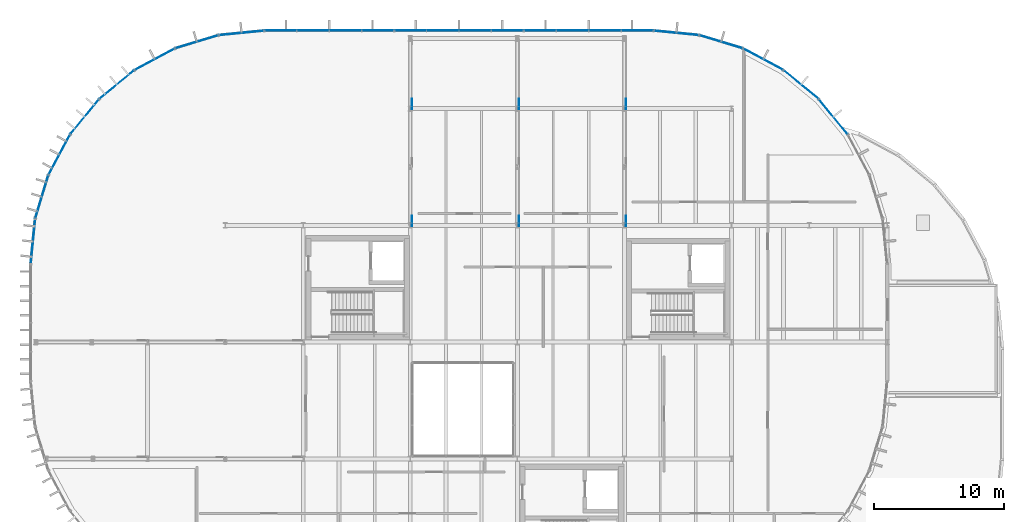
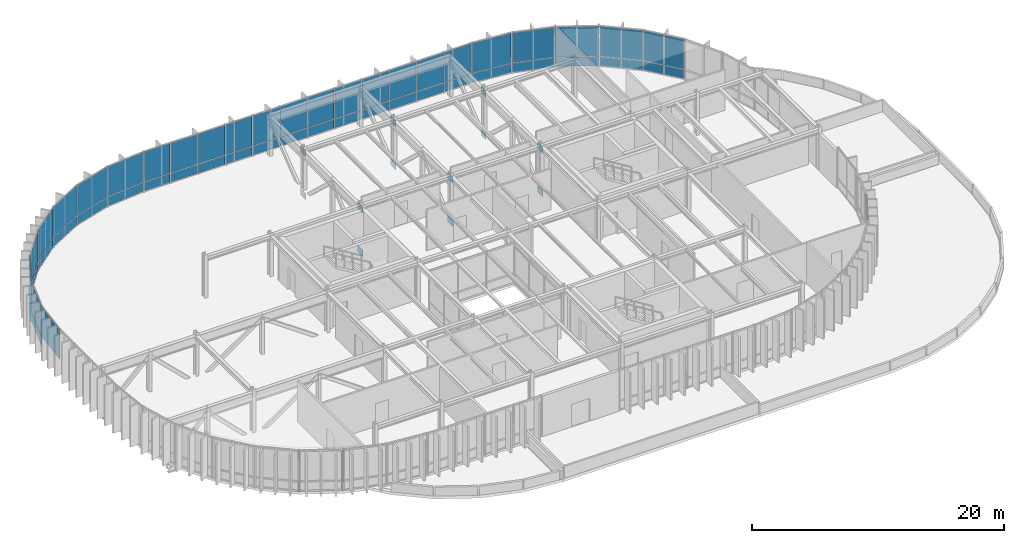
# One storey, part 18 of 29: 61 plates, 16 elements without a shape of their own.
"""IFC4 building model written with IfcOpenShell, lengths in metres."""

from ifc_helpers import new_model, si_unit, direction, frame, origin, origin_2d, place, context, subcontext, project, spatial, rectangle, extrude, material, layer, layer_set, type_object, element, aggregate, save


model = new_model("IFC4")

# Units and contexts
model_context = context("Model", 3, precision=1e-05, world=origin(), true_north=direction((0.0, 1.0)))
body_context = subcontext(model_context, "Body", "Model", "MODEL_VIEW")
ifc_project = project(units=[si_unit("LENGTHUNIT", "METRE"), si_unit("AREAUNIT", "SQUARE_METRE"), si_unit("VOLUMEUNIT", "CUBIC_METRE"), si_unit("PLANEANGLEUNIT", "RADIAN"), si_unit("MASSUNIT", "GRAM", prefix="KILO")], contexts=[model_context])

# Site, building, storey
site_placement = place(None, origin())
site = spatial("IfcSite", under=ifc_project, at=site_placement, CompositionType="ELEMENT")
building_placement = place(site_placement, origin())
building = spatial("IfcBuilding", under=site, at=building_placement, Name="Montealbar Specialist Clinic", CompositionType="ELEMENT")
storey_placement = place(building_placement, frame((0.0, 0.0, 22.199951171875)))
storey = spatial("IfcBuildingStorey", under=building, at=storey_placement, Name="L05", CompositionType="ELEMENT", Elevation=22.199951171875)

# Curtain wall, plate
ifc_material_1 = material(Name="Low-E double glazing", Category="glass")
ifc_layer_1 = layer(ifc_material_1, 0.199951171875, Name="Low-E double glazing", Category="glass")
ifc_layer_set_1 = layer_set([ifc_layer_1], Name="Low-E double glazing")
curtain_wall_type_1 = type_object("IfcCurtainWallType", Name="CW-TYPE-19", PredefinedType="NOTDEFINED", material=ifc_layer_set_1)
curtain_wall_1_placement = place(storey_placement, origin())
curtain_wall_1 = element("IfcCurtainWall", 1, at=curtain_wall_1_placement, inside=storey, type_object=curtain_wall_type_1, Name="Unitised Curtain Wall CW-L05-450-330-453-365-222", PredefinedType="NOTDEFINED")
ifc_layer_2 = layer(ifc_material_1, 0.0380859375, Name="Low-E double glazing", Category="glass")
ifc_layer_set_2 = layer_set([ifc_layer_2], Name="Low-E double glazing")
plate_type_1 = type_object("IfcPlateType", Name="CW-PNL-IGU38", PredefinedType="CURTAIN_PANEL", material=ifc_layer_set_2)
plate_1_placement = place(storey_placement, frame((45.173095703125, 34.756103515625, 0.97998046875), z_axis=(0.0, 0.0, 1.0), x_axis=(0.098044697094, 0.995182012183, 0.0)))
plate_1 = element("IfcPlate", 2, at=plate_1_placement, type_object=plate_type_1, Name="Glazed Curtain Panel CW-L05-450-330-453-365-222-1-2", PredefinedType="CURTAIN_PANEL", context=body_context, shape_type="SweptSolid", body=[
    extrude(rectangle(XDim=3.445068359375, YDim=0.0380859375, at=origin_2d()), origin(), (0.0, 0.0, 1.0), 2.889892578125),
])
aggregate(curtain_wall_1, [plate_1])

# Curtain wall, plates
curtain_wall_2_placement = place(storey_placement, origin())
curtain_wall_2 = element("IfcCurtainWall", 3, at=curtain_wall_2_placement, inside=storey, type_object=curtain_wall_type_1, Name="Unitised Curtain Wall CW-L05-453-365-464-399-222", PredefinedType="NOTDEFINED")
plate_2_placement = place(storey_placement, frame((45.85791015625, 38.199951171875, 0.070068359375), z_axis=(0.0, 0.0, 1.0), x_axis=(0.290259134399, 0.956948083701, 0.0)))
plate_2 = element("IfcPlate", 4, at=plate_2_placement, type_object=plate_type_1, Name="Glazed Curtain Panel CW-L05-453-365-464-399-222-1-1", PredefinedType="CURTAIN_PANEL", context=body_context, shape_type="SweptSolid", body=[
    extrude(rectangle(XDim=3.444091796875, YDim=0.0380859375, at=origin_2d()), origin(), (0.0, 0.0, 1.0), 0.85009765625),
])
plate_3_placement = place(storey_placement, frame((45.85791015625, 38.199951171875, 0.97998046875), z_axis=(0.0, 0.0, 1.0), x_axis=(0.290259134399, 0.956948083701, 0.0)))
plate_3 = element("IfcPlate", 5, at=plate_3_placement, type_object=plate_type_1, Name="Glazed Curtain Panel CW-L05-453-365-464-399-222-1-2", PredefinedType="CURTAIN_PANEL", context=body_context, shape_type="SweptSolid", body=[
    extrude(rectangle(XDim=3.444091796875, YDim=0.0380859375, at=origin_2d()), origin(), (0.0, 0.0, 1.0), 2.889892578125),
])
aggregate(curtain_wall_2, [plate_2, plate_3])

curtain_wall_3_placement = place(storey_placement, origin())
curtain_wall_3 = element("IfcCurtainWall", 6, at=curtain_wall_3_placement, inside=storey, type_object=curtain_wall_type_1, Name="Unitised Curtain Wall CW-L05-464-399-480-430-222", PredefinedType="NOTDEFINED")
plate_4_placement = place(storey_placement, frame((47.201904296875, 41.444091796875, 0.070068359375), z_axis=(0.0, 0.0, 1.0), x_axis=(0.471529268958, 0.881850411644, 0.0)))
plate_4 = element("IfcPlate", 7, at=plate_4_placement, type_object=plate_type_1, Name="Glazed Curtain Panel CW-L05-464-399-480-430-222-1-1", PredefinedType="CURTAIN_PANEL", context=body_context, shape_type="SweptSolid", body=[
    extrude(rectangle(XDim=3.445068359375, YDim=0.0380859375, at=origin_2d()), origin(), (0.0, 0.0, 1.0), 0.85009765625),
])
plate_5_placement = place(storey_placement, frame((47.201904296875, 41.444091796875, 0.97998046875), z_axis=(0.0, 0.0, 1.0), x_axis=(0.471529268958, 0.881850411644, 0.0)))
plate_5 = element("IfcPlate", 8, at=plate_5_placement, type_object=plate_type_1, Name="Glazed Curtain Panel CW-L05-464-399-480-430-222-1-2", PredefinedType="CURTAIN_PANEL", context=body_context, shape_type="SweptSolid", body=[
    extrude(rectangle(XDim=3.445068359375, YDim=0.0380859375, at=origin_2d()), origin(), (0.0, 0.0, 1.0), 2.889892578125),
])
aggregate(curtain_wall_3, [plate_4, plate_5])

curtain_wall_4_placement = place(storey_placement, origin())
curtain_wall_4 = element("IfcCurtainWall", 9, at=curtain_wall_4_placement, inside=storey, type_object=curtain_wall_type_1, Name="Unitised Curtain Wall CW-L05-480-430-503-457-222", PredefinedType="NOTDEFINED")
plate_6_placement = place(storey_placement, frame((49.153076171875, 44.364013671875, 0.070068359375), z_axis=(0.0, 0.0, 1.0), x_axis=(0.634255808922, 0.773123255923, 0.0)))
plate_6 = element("IfcPlate", 10, at=plate_6_placement, type_object=plate_type_1, Name="Glazed Curtain Panel CW-L05-480-430-503-457-222-1-1", PredefinedType="CURTAIN_PANEL", context=body_context, shape_type="SweptSolid", body=[
    extrude(rectangle(XDim=3.445068359375, YDim=0.0380859375, at=origin_2d()), origin(), (0.0, 0.0, 1.0), 0.85009765625),
])
plate_7_placement = place(storey_placement, frame((49.153076171875, 44.364013671875, 0.97998046875), z_axis=(0.0, 0.0, 1.0), x_axis=(0.634255808922, 0.773123255923, 0.0)))
plate_7 = element("IfcPlate", 11, at=plate_7_placement, type_object=plate_type_1, Name="Glazed Curtain Panel CW-L05-480-430-503-457-222-1-2", PredefinedType="CURTAIN_PANEL", context=body_context, shape_type="SweptSolid", body=[
    extrude(rectangle(XDim=3.445068359375, YDim=0.0380859375, at=origin_2d()), origin(), (0.0, 0.0, 1.0), 2.889892578125),
])
aggregate(curtain_wall_4, [plate_6, plate_7])

curtain_wall_5_placement = place(storey_placement, origin())
curtain_wall_5 = element("IfcCurtainWall", 12, at=curtain_wall_5_placement, inside=storey, type_object=curtain_wall_type_1, Name="Unitised Curtain Wall CW-L05-503-457-530-480-222", PredefinedType="NOTDEFINED")
plate_8_placement = place(storey_placement, frame((51.635986328125, 46.846923828125, 0.070068359375), z_axis=(0.0, 0.0, 1.0), x_axis=(0.773123255923, 0.634255808922, 0.0)))
plate_8 = element("IfcPlate", 13, at=plate_8_placement, type_object=plate_type_1, Name="Glazed Curtain Panel CW-L05-503-457-530-480-222-1-1", PredefinedType="CURTAIN_PANEL", context=body_context, shape_type="SweptSolid", body=[
    extrude(rectangle(XDim=3.445068359375, YDim=0.0380859375, at=origin_2d()), origin(), (0.0, 0.0, 1.0), 0.85009765625),
])
plate_9_placement = place(storey_placement, frame((51.635986328125, 46.846923828125, 0.97998046875), z_axis=(0.0, 0.0, 1.0), x_axis=(0.773123255923, 0.634255808922, 0.0)))
plate_9 = element("IfcPlate", 14, at=plate_9_placement, type_object=plate_type_1, Name="Glazed Curtain Panel CW-L05-503-457-530-480-222-1-2", PredefinedType="CURTAIN_PANEL", context=body_context, shape_type="SweptSolid", body=[
    extrude(rectangle(XDim=3.445068359375, YDim=0.0380859375, at=origin_2d()), origin(), (0.0, 0.0, 1.0), 2.889892578125),
])
aggregate(curtain_wall_5, [plate_8, plate_9])

curtain_wall_6_placement = place(storey_placement, origin())
curtain_wall_6 = element("IfcCurtainWall", 15, at=curtain_wall_6_placement, inside=storey, type_object=curtain_wall_type_1, Name="Unitised Curtain Wall CW-L05-530-480-561-496-222", PredefinedType="NOTDEFINED")
plate_10_placement = place(storey_placement, frame((54.555908203125, 48.798095703125, 0.070068359375), z_axis=(0.0, 0.0, 1.0), x_axis=(0.881850411644, 0.471529268958, 0.0)))
plate_10 = element("IfcPlate", 16, at=plate_10_placement, type_object=plate_type_1, Name="Glazed Curtain Panel CW-L05-530-480-561-496-222-1-1", PredefinedType="CURTAIN_PANEL", context=body_context, shape_type="SweptSolid", body=[
    extrude(rectangle(XDim=3.445068359375, YDim=0.0380859375, at=origin_2d()), origin(), (0.0, 0.0, 1.0), 0.85009765625),
])
plate_11_placement = place(storey_placement, frame((54.555908203125, 48.798095703125, 0.97998046875), z_axis=(0.0, 0.0, 1.0), x_axis=(0.881850411644, 0.471529268958, 0.0)))
plate_11 = element("IfcPlate", 17, at=plate_11_placement, type_object=plate_type_1, Name="Glazed Curtain Panel CW-L05-530-480-561-496-222-1-2", PredefinedType="CURTAIN_PANEL", context=body_context, shape_type="SweptSolid", body=[
    extrude(rectangle(XDim=3.445068359375, YDim=0.0380859375, at=origin_2d()), origin(), (0.0, 0.0, 1.0), 2.889892578125),
])
aggregate(curtain_wall_6, [plate_10, plate_11])

curtain_wall_7_placement = place(storey_placement, origin())
curtain_wall_7 = element("IfcCurtainWall", 18, at=curtain_wall_7_placement, inside=storey, type_object=curtain_wall_type_1, Name="Unitised Curtain Wall CW-L05-561-496-595-507-222", PredefinedType="NOTDEFINED")
plate_12_placement = place(storey_placement, frame((57.800048828125, 50.14208984375, 0.070068359375), z_axis=(0.0, 0.0, 1.0), x_axis=(0.956948083701, 0.290259134399, 0.0)))
plate_12 = element("IfcPlate", 19, at=plate_12_placement, type_object=plate_type_1, Name="Glazed Curtain Panel CW-L05-561-496-595-507-222-1-1", PredefinedType="CURTAIN_PANEL", context=body_context, shape_type="SweptSolid", body=[
    extrude(rectangle(XDim=3.444091796875, YDim=0.0380859375, at=origin_2d()), origin(), (0.0, 0.0, 1.0), 0.85009765625),
])
plate_13_placement = place(storey_placement, frame((57.800048828125, 50.14208984375, 0.97998046875), z_axis=(0.0, 0.0, 1.0), x_axis=(0.956948083701, 0.290259134399, 0.0)))
plate_13 = element("IfcPlate", 20, at=plate_13_placement, type_object=plate_type_1, Name="Glazed Curtain Panel CW-L05-561-496-595-507-222-1-2", PredefinedType="CURTAIN_PANEL", context=body_context, shape_type="SweptSolid", body=[
    extrude(rectangle(XDim=3.444091796875, YDim=0.0380859375, at=origin_2d()), origin(), (0.0, 0.0, 1.0), 2.889892578125),
])
aggregate(curtain_wall_7, [plate_12, plate_13])

curtain_wall_8_placement = place(storey_placement, origin())
curtain_wall_8 = element("IfcCurtainWall", 21, at=curtain_wall_8_placement, inside=storey, type_object=curtain_wall_type_1, Name="Unitised Curtain Wall CW-L05-595-507-630-510-222", PredefinedType="NOTDEFINED")
plate_14_placement = place(storey_placement, frame((61.243896484375, 50.826904296875, 0.070068359375), z_axis=(0.0, 0.0, 1.0), x_axis=(0.995182012183, 0.098044697094, 0.0)))
plate_14 = element("IfcPlate", 22, at=plate_14_placement, type_object=plate_type_1, Name="Glazed Curtain Panel CW-L05-595-507-630-510-222-1-1", PredefinedType="CURTAIN_PANEL", context=body_context, shape_type="SweptSolid", body=[
    extrude(rectangle(XDim=3.445068359375, YDim=0.0380859375, at=origin_2d()), origin(), (0.0, 0.0, 1.0), 0.85009765625),
])
plate_15_placement = place(storey_placement, frame((61.243896484375, 50.826904296875, 0.97998046875), z_axis=(0.0, 0.0, 1.0), x_axis=(0.995182012183, 0.098044697094, 0.0)))
plate_15 = element("IfcPlate", 23, at=plate_15_placement, type_object=plate_type_1, Name="Glazed Curtain Panel CW-L05-595-507-630-510-222-1-2", PredefinedType="CURTAIN_PANEL", context=body_context, shape_type="SweptSolid", body=[
    extrude(rectangle(XDim=3.445068359375, YDim=0.0380859375, at=origin_2d()), origin(), (0.0, 0.0, 1.0), 2.889892578125),
])
aggregate(curtain_wall_8, [plate_14, plate_15])

ifc_layer_3 = layer(ifc_material_1, 0.199951171875, Name="Low-E double glazing", Category="glass")
ifc_layer_set_3 = layer_set([ifc_layer_3], Name="Low-E double glazing")
curtain_wall_type_2 = type_object("IfcCurtainWallType", Name="CW-TYPE-38", PredefinedType="NOTDEFINED", material=ifc_layer_set_3)
curtain_wall_9_placement = place(storey_placement, origin())
curtain_wall_9 = element("IfcCurtainWall", 24, at=curtain_wall_9_placement, inside=storey, type_object=curtain_wall_type_2, Name="Unitised Curtain Wall CW-L05-630-510-730-510-222", PredefinedType="NOTDEFINED")
plate_16_placement = place(storey_placement, frame((64.25, 51.0, 0.070068359375), z_axis=(0.0, 0.0, 1.0), x_axis=(1.0, 0.0, 0.0)))
plate_16 = element("IfcPlate", 25, at=plate_16_placement, type_object=plate_type_1, Name="Glazed Curtain Panel CW-L05-630-510-730-510-222-1-1", PredefinedType="CURTAIN_PANEL", context=body_context, shape_type="SweptSolid", body=[
    extrude(rectangle(XDim=2.416015625, YDim=0.0380859375, at=origin_2d()), origin(), (0.0, 0.0, 1.0), 0.85009765625),
])
plate_17_placement = place(storey_placement, frame((64.25, 51.0, 0.97998046875), z_axis=(0.0, 0.0, 1.0), x_axis=(1.0, 0.0, 0.0)))
plate_17 = element("IfcPlate", 26, at=plate_17_placement, type_object=plate_type_1, Name="Glazed Curtain Panel CW-L05-630-510-730-510-222-1-2", PredefinedType="CURTAIN_PANEL", context=body_context, shape_type="SweptSolid", body=[
    extrude(rectangle(XDim=2.416015625, YDim=0.0380859375, at=origin_2d()), origin(), (0.0, 0.0, 1.0), 2.889892578125),
])
plate_18_placement = place(storey_placement, frame((66.75, 51.0, 0.070068359375), z_axis=(0.0, 0.0, 1.0), x_axis=(1.0, 0.0, 0.0)))
plate_18 = element("IfcPlate", 27, at=plate_18_placement, type_object=plate_type_1, Name="Glazed Curtain Panel CW-L05-630-510-730-510-222-2-1", PredefinedType="CURTAIN_PANEL", context=body_context, shape_type="SweptSolid", body=[
    extrude(rectangle(XDim=2.416015625, YDim=0.0380859375, at=origin_2d()), origin(), (0.0, 0.0, 1.0), 0.85009765625),
])
plate_19_placement = place(storey_placement, frame((66.75, 51.0, 0.97998046875), z_axis=(0.0, 0.0, 1.0), x_axis=(1.0, 0.0, 0.0)))
plate_19 = element("IfcPlate", 28, at=plate_19_placement, type_object=plate_type_1, Name="Glazed Curtain Panel CW-L05-630-510-730-510-222-2-2", PredefinedType="CURTAIN_PANEL", context=body_context, shape_type="SweptSolid", body=[
    extrude(rectangle(XDim=2.416015625, YDim=0.0380859375, at=origin_2d()), origin(), (0.0, 0.0, 1.0), 2.889892578125),
])
plate_20_placement = place(storey_placement, frame((69.25, 51.0, 0.070068359375), z_axis=(0.0, 0.0, 1.0), x_axis=(1.0, 0.0, 0.0)))
plate_20 = element("IfcPlate", 29, at=plate_20_placement, type_object=plate_type_1, Name="Glazed Curtain Panel CW-L05-630-510-730-510-222-3-1", PredefinedType="CURTAIN_PANEL", context=body_context, shape_type="SweptSolid", body=[
    extrude(rectangle(XDim=2.416015625, YDim=0.0380859375, at=origin_2d()), origin(), (0.0, 0.0, 1.0), 0.85009765625),
])
plate_21_placement = place(storey_placement, frame((69.25, 51.0, 0.97998046875), z_axis=(0.0, 0.0, 1.0), x_axis=(1.0, 0.0, 0.0)))
plate_21 = element("IfcPlate", 30, at=plate_21_placement, type_object=plate_type_1, Name="Glazed Curtain Panel CW-L05-630-510-730-510-222-3-2", PredefinedType="CURTAIN_PANEL", context=body_context, shape_type="SweptSolid", body=[
    extrude(rectangle(XDim=2.416015625, YDim=0.0380859375, at=origin_2d()), origin(), (0.0, 0.0, 1.0), 2.889892578125),
])
plate_22_placement = place(storey_placement, frame((71.75, 51.0, 0.070068359375), z_axis=(0.0, 0.0, 1.0), x_axis=(1.0, 0.0, 0.0)))
plate_22 = element("IfcPlate", 31, at=plate_22_placement, type_object=plate_type_1, Name="Glazed Curtain Panel CW-L05-630-510-730-510-222-4-1", PredefinedType="CURTAIN_PANEL", context=body_context, shape_type="SweptSolid", body=[
    extrude(rectangle(XDim=2.416015625, YDim=0.0380859375, at=origin_2d()), origin(), (0.0, 0.0, 1.0), 0.85009765625),
])
plate_23_placement = place(storey_placement, frame((71.75, 51.0, 0.97998046875), z_axis=(0.0, 0.0, 1.0), x_axis=(1.0, 0.0, 0.0)))
plate_23 = element("IfcPlate", 32, at=plate_23_placement, type_object=plate_type_1, Name="Glazed Curtain Panel CW-L05-630-510-730-510-222-4-2", PredefinedType="CURTAIN_PANEL", context=body_context, shape_type="SweptSolid", body=[
    extrude(rectangle(XDim=2.416015625, YDim=0.0380859375, at=origin_2d()), origin(), (0.0, 0.0, 1.0), 2.889892578125),
])
aggregate(curtain_wall_9, [plate_16, plate_17, plate_18, plate_19, plate_20, plate_21, plate_22, plate_23])

curtain_wall_10_placement = place(storey_placement, origin())
curtain_wall_10 = element("IfcCurtainWall", 33, at=curtain_wall_10_placement, inside=storey, type_object=curtain_wall_type_2, Name="Unitised Curtain Wall CW-L05-730-510-830-510-222", PredefinedType="NOTDEFINED")
plate_24_placement = place(storey_placement, frame((74.25, 51.0, 0.070068359375), z_axis=(0.0, 0.0, 1.0), x_axis=(1.0, 0.0, 0.0)))
plate_24 = element("IfcPlate", 34, at=plate_24_placement, type_object=plate_type_1, Name="Glazed Curtain Panel CW-L05-730-510-830-510-222-1-1", PredefinedType="CURTAIN_PANEL", context=body_context, shape_type="SweptSolid", body=[
    extrude(rectangle(XDim=2.416015625, YDim=0.0380859375, at=origin_2d()), origin(), (0.0, 0.0, 1.0), 0.85009765625),
])
plate_25_placement = place(storey_placement, frame((74.25, 51.0, 0.97998046875), z_axis=(0.0, 0.0, 1.0), x_axis=(1.0, 0.0, 0.0)))
plate_25 = element("IfcPlate", 35, at=plate_25_placement, type_object=plate_type_1, Name="Glazed Curtain Panel CW-L05-730-510-830-510-222-1-2", PredefinedType="CURTAIN_PANEL", context=body_context, shape_type="SweptSolid", body=[
    extrude(rectangle(XDim=2.416015625, YDim=0.0380859375, at=origin_2d()), origin(), (0.0, 0.0, 1.0), 2.889892578125),
])
plate_26_placement = place(storey_placement, frame((76.75, 51.0, 0.070068359375), z_axis=(0.0, 0.0, 1.0), x_axis=(1.0, 0.0, 0.0)))
plate_26 = element("IfcPlate", 36, at=plate_26_placement, type_object=plate_type_1, Name="Glazed Curtain Panel CW-L05-730-510-830-510-222-2-1", PredefinedType="CURTAIN_PANEL", context=body_context, shape_type="SweptSolid", body=[
    extrude(rectangle(XDim=2.416015625, YDim=0.0380859375, at=origin_2d()), origin(), (0.0, 0.0, 1.0), 0.85009765625),
])
plate_27_placement = place(storey_placement, frame((76.75, 51.0, 0.97998046875), z_axis=(0.0, 0.0, 1.0), x_axis=(1.0, 0.0, 0.0)))
plate_27 = element("IfcPlate", 37, at=plate_27_placement, type_object=plate_type_1, Name="Glazed Curtain Panel CW-L05-730-510-830-510-222-2-2", PredefinedType="CURTAIN_PANEL", context=body_context, shape_type="SweptSolid", body=[
    extrude(rectangle(XDim=2.416015625, YDim=0.0380859375, at=origin_2d()), origin(), (0.0, 0.0, 1.0), 2.889892578125),
])
plate_28_placement = place(storey_placement, frame((79.25, 51.0, 0.070068359375), z_axis=(0.0, 0.0, 1.0), x_axis=(1.0, 0.0, 0.0)))
plate_28 = element("IfcPlate", 38, at=plate_28_placement, type_object=plate_type_1, Name="Glazed Curtain Panel CW-L05-730-510-830-510-222-3-1", PredefinedType="CURTAIN_PANEL", context=body_context, shape_type="SweptSolid", body=[
    extrude(rectangle(XDim=2.416015625, YDim=0.0380859375, at=origin_2d()), origin(), (0.0, 0.0, 1.0), 0.85009765625),
])
plate_29_placement = place(storey_placement, frame((79.25, 51.0, 0.97998046875), z_axis=(0.0, 0.0, 1.0), x_axis=(1.0, 0.0, 0.0)))
plate_29 = element("IfcPlate", 39, at=plate_29_placement, type_object=plate_type_1, Name="Glazed Curtain Panel CW-L05-730-510-830-510-222-3-2", PredefinedType="CURTAIN_PANEL", context=body_context, shape_type="SweptSolid", body=[
    extrude(rectangle(XDim=2.416015625, YDim=0.0380859375, at=origin_2d()), origin(), (0.0, 0.0, 1.0), 2.889892578125),
])
plate_30_placement = place(storey_placement, frame((81.75, 51.0, 0.070068359375), z_axis=(0.0, 0.0, 1.0), x_axis=(1.0, 0.0, 0.0)))
plate_30 = element("IfcPlate", 40, at=plate_30_placement, type_object=plate_type_1, Name="Glazed Curtain Panel CW-L05-730-510-830-510-222-4-1", PredefinedType="CURTAIN_PANEL", context=body_context, shape_type="SweptSolid", body=[
    extrude(rectangle(XDim=2.416015625, YDim=0.0380859375, at=origin_2d()), origin(), (0.0, 0.0, 1.0), 0.85009765625),
])
plate_31_placement = place(storey_placement, frame((81.75, 51.0, 0.97998046875), z_axis=(0.0, 0.0, 1.0), x_axis=(1.0, 0.0, 0.0)))
plate_31 = element("IfcPlate", 41, at=plate_31_placement, type_object=plate_type_1, Name="Glazed Curtain Panel CW-L05-730-510-830-510-222-4-2", PredefinedType="CURTAIN_PANEL", context=body_context, shape_type="SweptSolid", body=[
    extrude(rectangle(XDim=2.416015625, YDim=0.0380859375, at=origin_2d()), origin(), (0.0, 0.0, 1.0), 2.889892578125),
])
aggregate(curtain_wall_10, [plate_24, plate_25, plate_26, plate_27, plate_28, plate_29, plate_30, plate_31])

curtain_wall_11_placement = place(storey_placement, origin())
curtain_wall_11 = element("IfcCurtainWall", 42, at=curtain_wall_11_placement, inside=storey, type_object=curtain_wall_type_2, Name="Unitised Curtain Wall CW-L05-830-510-930-510-222", PredefinedType="NOTDEFINED")
plate_32_placement = place(storey_placement, frame((84.25, 51.0, 0.070068359375), z_axis=(0.0, 0.0, 1.0), x_axis=(1.0, 0.0, 0.0)))
plate_32 = element("IfcPlate", 43, at=plate_32_placement, type_object=plate_type_1, Name="Glazed Curtain Panel CW-L05-830-510-930-510-222-1-1", PredefinedType="CURTAIN_PANEL", context=body_context, shape_type="SweptSolid", body=[
    extrude(rectangle(XDim=2.416015625, YDim=0.0380859375, at=origin_2d()), origin(), (0.0, 0.0, 1.0), 0.85009765625),
])
plate_33_placement = place(storey_placement, frame((84.25, 51.0, 0.97998046875), z_axis=(0.0, 0.0, 1.0), x_axis=(1.0, 0.0, 0.0)))
plate_33 = element("IfcPlate", 44, at=plate_33_placement, type_object=plate_type_1, Name="Glazed Curtain Panel CW-L05-830-510-930-510-222-1-2", PredefinedType="CURTAIN_PANEL", context=body_context, shape_type="SweptSolid", body=[
    extrude(rectangle(XDim=2.416015625, YDim=0.0380859375, at=origin_2d()), origin(), (0.0, 0.0, 1.0), 2.889892578125),
])
plate_34_placement = place(storey_placement, frame((86.75, 51.0, 0.070068359375), z_axis=(0.0, 0.0, 1.0), x_axis=(1.0, 0.0, 0.0)))
plate_34 = element("IfcPlate", 45, at=plate_34_placement, type_object=plate_type_1, Name="Glazed Curtain Panel CW-L05-830-510-930-510-222-2-1", PredefinedType="CURTAIN_PANEL", context=body_context, shape_type="SweptSolid", body=[
    extrude(rectangle(XDim=2.416015625, YDim=0.0380859375, at=origin_2d()), origin(), (0.0, 0.0, 1.0), 0.85009765625),
])
plate_35_placement = place(storey_placement, frame((86.75, 51.0, 0.97998046875), z_axis=(0.0, 0.0, 1.0), x_axis=(1.0, 0.0, 0.0)))
plate_35 = element("IfcPlate", 46, at=plate_35_placement, type_object=plate_type_1, Name="Glazed Curtain Panel CW-L05-830-510-930-510-222-2-2", PredefinedType="CURTAIN_PANEL", context=body_context, shape_type="SweptSolid", body=[
    extrude(rectangle(XDim=2.416015625, YDim=0.0380859375, at=origin_2d()), origin(), (0.0, 0.0, 1.0), 2.889892578125),
])
plate_36_placement = place(storey_placement, frame((89.25, 51.0, 0.070068359375), z_axis=(0.0, 0.0, 1.0), x_axis=(1.0, 0.0, 0.0)))
plate_36 = element("IfcPlate", 47, at=plate_36_placement, type_object=plate_type_1, Name="Glazed Curtain Panel CW-L05-830-510-930-510-222-3-1", PredefinedType="CURTAIN_PANEL", context=body_context, shape_type="SweptSolid", body=[
    extrude(rectangle(XDim=2.416015625, YDim=0.0380859375, at=origin_2d()), origin(), (0.0, 0.0, 1.0), 0.85009765625),
])
plate_37_placement = place(storey_placement, frame((89.25, 51.0, 0.97998046875), z_axis=(0.0, 0.0, 1.0), x_axis=(1.0, 0.0, 0.0)))
plate_37 = element("IfcPlate", 48, at=plate_37_placement, type_object=plate_type_1, Name="Glazed Curtain Panel CW-L05-830-510-930-510-222-3-2", PredefinedType="CURTAIN_PANEL", context=body_context, shape_type="SweptSolid", body=[
    extrude(rectangle(XDim=2.416015625, YDim=0.0380859375, at=origin_2d()), origin(), (0.0, 0.0, 1.0), 2.889892578125),
])
plate_38_placement = place(storey_placement, frame((91.75, 51.0, 0.070068359375), z_axis=(0.0, 0.0, 1.0), x_axis=(1.0, 0.0, 0.0)))
plate_38 = element("IfcPlate", 49, at=plate_38_placement, type_object=plate_type_1, Name="Glazed Curtain Panel CW-L05-830-510-930-510-222-4-1", PredefinedType="CURTAIN_PANEL", context=body_context, shape_type="SweptSolid", body=[
    extrude(rectangle(XDim=2.416015625, YDim=0.0380859375, at=origin_2d()), origin(), (0.0, 0.0, 1.0), 0.85009765625),
])
plate_39_placement = place(storey_placement, frame((91.75, 51.0, 0.97998046875), z_axis=(0.0, 0.0, 1.0), x_axis=(1.0, 0.0, 0.0)))
plate_39 = element("IfcPlate", 50, at=plate_39_placement, type_object=plate_type_1, Name="Glazed Curtain Panel CW-L05-830-510-930-510-222-4-2", PredefinedType="CURTAIN_PANEL", context=body_context, shape_type="SweptSolid", body=[
    extrude(rectangle(XDim=2.416015625, YDim=0.0380859375, at=origin_2d()), origin(), (0.0, 0.0, 1.0), 2.889892578125),
])
aggregate(curtain_wall_11, [plate_32, plate_33, plate_34, plate_35, plate_36, plate_37, plate_38, plate_39])

curtain_wall_12_placement = place(storey_placement, origin())
curtain_wall_12 = element("IfcCurtainWall", 51, at=curtain_wall_12_placement, inside=storey, type_object=curtain_wall_type_1, Name="Unitised Curtain Wall CW-L05-930-510-965-507-222", PredefinedType="NOTDEFINED")
plate_40_placement = place(storey_placement, frame((94.756103515625, 50.826904296875, 0.070068359375), z_axis=(0.0, 0.0, 1.0), x_axis=(0.995182012183, -0.098044697094, 0.0)))
plate_40 = element("IfcPlate", 52, at=plate_40_placement, type_object=plate_type_1, Name="Glazed Curtain Panel CW-L05-930-510-965-507-222-1-1", PredefinedType="CURTAIN_PANEL", context=body_context, shape_type="SweptSolid", body=[
    extrude(rectangle(XDim=3.445068359375, YDim=0.0380859375, at=origin_2d()), origin(), (0.0, 0.0, 1.0), 0.85009765625),
])
plate_41_placement = place(storey_placement, frame((94.756103515625, 50.826904296875, 0.97998046875), z_axis=(0.0, 0.0, 1.0), x_axis=(0.995182012183, -0.098044697094, 0.0)))
plate_41 = element("IfcPlate", 53, at=plate_41_placement, type_object=plate_type_1, Name="Glazed Curtain Panel CW-L05-930-510-965-507-222-1-2", PredefinedType="CURTAIN_PANEL", context=body_context, shape_type="SweptSolid", body=[
    extrude(rectangle(XDim=3.445068359375, YDim=0.0380859375, at=origin_2d()), origin(), (0.0, 0.0, 1.0), 2.889892578125),
])
aggregate(curtain_wall_12, [plate_40, plate_41])

curtain_wall_13_placement = place(storey_placement, origin())
curtain_wall_13 = element("IfcCurtainWall", 54, at=curtain_wall_13_placement, inside=storey, type_object=curtain_wall_type_1, Name="Unitised Curtain Wall CW-L05-965-507-999-496-222", PredefinedType="NOTDEFINED")
plate_42_placement = place(storey_placement, frame((98.199951171875, 50.14208984375, 0.070068359375), z_axis=(0.0, 0.0, 1.0), x_axis=(0.956948083701, -0.290259134399, 0.0)))
plate_42 = element("IfcPlate", 55, at=plate_42_placement, type_object=plate_type_1, Name="Glazed Curtain Panel CW-L05-965-507-999-496-222-1-1", PredefinedType="CURTAIN_PANEL", context=body_context, shape_type="SweptSolid", body=[
    extrude(rectangle(XDim=3.444091796875, YDim=0.0380859375, at=origin_2d()), origin(), (0.0, 0.0, 1.0), 0.85009765625),
])
plate_43_placement = place(storey_placement, frame((98.199951171875, 50.14208984375, 0.97998046875), z_axis=(0.0, 0.0, 1.0), x_axis=(0.956948083701, -0.290259134399, 0.0)))
plate_43 = element("IfcPlate", 56, at=plate_43_placement, type_object=plate_type_1, Name="Glazed Curtain Panel CW-L05-965-507-999-496-222-1-2", PredefinedType="CURTAIN_PANEL", context=body_context, shape_type="SweptSolid", body=[
    extrude(rectangle(XDim=3.444091796875, YDim=0.0380859375, at=origin_2d()), origin(), (0.0, 0.0, 1.0), 2.889892578125),
])
aggregate(curtain_wall_13, [plate_42, plate_43])

curtain_wall_14_placement = place(storey_placement, origin())
curtain_wall_14 = element("IfcCurtainWall", 57, at=curtain_wall_14_placement, inside=storey, type_object=curtain_wall_type_1, Name="Unitised Curtain Wall CW-L05-999-496-1030-480-222", PredefinedType="NOTDEFINED")
plate_44_placement = place(storey_placement, frame((101.444091796875, 48.798095703125, 0.070068359375), z_axis=(0.0, 0.0, 1.0), x_axis=(0.881850411644, -0.471529268958, 0.0)))
plate_44 = element("IfcPlate", 58, at=plate_44_placement, type_object=plate_type_1, Name="Glazed Curtain Panel CW-L05-999-496-1030-480-222-1-1", PredefinedType="CURTAIN_PANEL", context=body_context, shape_type="SweptSolid", body=[
    extrude(rectangle(XDim=3.445068359375, YDim=0.0380859375, at=origin_2d()), origin(), (0.0, 0.0, 1.0), 0.85009765625),
])
plate_45_placement = place(storey_placement, frame((101.444091796875, 48.798095703125, 0.97998046875), z_axis=(0.0, 0.0, 1.0), x_axis=(0.881850411644, -0.471529268958, 0.0)))
plate_45 = element("IfcPlate", 59, at=plate_45_placement, type_object=plate_type_1, Name="Glazed Curtain Panel CW-L05-999-496-1030-480-222-1-2", PredefinedType="CURTAIN_PANEL", context=body_context, shape_type="SweptSolid", body=[
    extrude(rectangle(XDim=3.445068359375, YDim=0.0380859375, at=origin_2d()), origin(), (0.0, 0.0, 1.0), 2.889892578125),
])
aggregate(curtain_wall_14, [plate_44, plate_45])

curtain_wall_15_placement = place(storey_placement, origin())
curtain_wall_15 = element("IfcCurtainWall", 60, at=curtain_wall_15_placement, inside=storey, type_object=curtain_wall_type_1, Name="Unitised Curtain Wall CW-L05-1030-480-1057-457-222", PredefinedType="NOTDEFINED")
plate_46_placement = place(storey_placement, frame((104.364013671875, 46.846923828125, 0.070068359375), z_axis=(0.0, 0.0, 1.0), x_axis=(0.773123255923, -0.634255808922, 0.0)))
plate_46 = element("IfcPlate", 61, at=plate_46_placement, type_object=plate_type_1, Name="Glazed Curtain Panel CW-L05-1030-480-1057-457-222-1-1", PredefinedType="CURTAIN_PANEL", context=body_context, shape_type="SweptSolid", body=[
    extrude(rectangle(XDim=3.445068359375, YDim=0.0380859375, at=origin_2d()), origin(), (0.0, 0.0, 1.0), 0.85009765625),
])
plate_47_placement = place(storey_placement, frame((104.364013671875, 46.846923828125, 0.97998046875), z_axis=(0.0, 0.0, 1.0), x_axis=(0.773123255923, -0.634255808922, 0.0)))
plate_47 = element("IfcPlate", 62, at=plate_47_placement, type_object=plate_type_1, Name="Glazed Curtain Panel CW-L05-1030-480-1057-457-222-1-2", PredefinedType="CURTAIN_PANEL", context=body_context, shape_type="SweptSolid", body=[
    extrude(rectangle(XDim=3.445068359375, YDim=0.0380859375, at=origin_2d()), origin(), (0.0, 0.0, 1.0), 2.889892578125),
])
aggregate(curtain_wall_15, [plate_46, plate_47])

curtain_wall_16_placement = place(storey_placement, origin())
curtain_wall_16 = element("IfcCurtainWall", 63, at=curtain_wall_16_placement, inside=storey, type_object=curtain_wall_type_1, Name="Unitised Curtain Wall CW-L05-1057-457-1080-430-222", PredefinedType="NOTDEFINED")
plate_48_placement = place(storey_placement, frame((106.846923828125, 44.364013671875, 0.070068359375), z_axis=(0.0, 0.0, 1.0), x_axis=(0.634255808922, -0.773123255923, 0.0)))
plate_48 = element("IfcPlate", 64, at=plate_48_placement, type_object=plate_type_1, Name="Glazed Curtain Panel CW-L05-1057-457-1080-430-222-1-1", PredefinedType="CURTAIN_PANEL", context=body_context, shape_type="SweptSolid", body=[
    extrude(rectangle(XDim=3.445068359375, YDim=0.0380859375, at=origin_2d()), origin(), (0.0, 0.0, 1.0), 0.85009765625),
])
plate_49_placement = place(storey_placement, frame((106.846923828125, 44.364013671875, 0.97998046875), z_axis=(0.0, 0.0, 1.0), x_axis=(0.634255808922, -0.773123255923, 0.0)))
plate_49 = element("IfcPlate", 65, at=plate_49_placement, type_object=plate_type_1, Name="Glazed Curtain Panel CW-L05-1057-457-1080-430-222-1-2", PredefinedType="CURTAIN_PANEL", context=body_context, shape_type="SweptSolid", body=[
    extrude(rectangle(XDim=3.445068359375, YDim=0.0380859375, at=origin_2d()), origin(), (0.0, 0.0, 1.0), 2.889892578125),
])
aggregate(curtain_wall_16, [plate_48, plate_49])

# Plates
ifc_material_2 = material(Name="Steel S355", Category="steel")
ifc_layer_4 = layer(ifc_material_2, 0.034912109375, Name="Steel S355", Category="steel")
ifc_layer_set_4 = layer_set([ifc_layer_4], Name="Steel S355")
plate_type_2 = type_object("IfcPlateType", Name="PL-GUSSET-35", PredefinedType="SHEET", material=ifc_layer_set_4)
for number, where, z_axis, x_axis, name in (
    (66, (74.387939453125, 36.35009765625, -1.090087890625), (0.0, 0.0, 1.0), (0.0, 1.0, 0.0), "Truss node gusset plate GN-TT-N2-0B"),
    (67, (74.387939453125, 36.35009765625, 3.110107421875), (0.0, 0.0, 1.0), (0.0, 1.0, 0.0), "Truss node gusset plate GN-TT-N2-0T"),
    (68, (74.387939453125, 45.35009765625, -1.090087890625), (0.0, 0.0, 1.0), (0.0, 1.0, 0.0), "Truss node gusset plate GN-TT-N2-2B"),
    (69, (74.387939453125, 45.35009765625, 3.110107421875), (0.0, 0.0, 1.0), (0.0, 1.0, 0.0), "Truss node gusset plate GN-TT-N2-2T"),
    (70, (82.637939453125, 36.35009765625, -1.090087890625), (0.0, 0.0, 1.0), (0.0, 1.0, 0.0), "Truss node gusset plate GN-TT-N3-0B"),
    (71, (82.637939453125, 36.35009765625, 3.110107421875), (0.0, 0.0, 1.0), (0.0, 1.0, 0.0), "Truss node gusset plate GN-TT-N3-0T"),
    (72, (82.637939453125, 45.35009765625, -1.090087890625), (0.0, 0.0, 1.0), (0.0, 1.0, 0.0), "Truss node gusset plate GN-TT-N3-2B"),
    (73, (82.637939453125, 45.35009765625, 3.110107421875), (0.0, 0.0, 1.0), (0.0, 1.0, 0.0), "Truss node gusset plate GN-TT-N3-2T"),
    (74, (90.887939453125, 36.35009765625, -1.090087890625), (0.0, 0.0, 1.0), (0.0, 1.0, 0.0), "Truss node gusset plate GN-TT-N4-0B"),
    (75, (90.887939453125, 36.35009765625, 3.110107421875), (0.0, 0.0, 1.0), (0.0, 1.0, 0.0), "Truss node gusset plate GN-TT-N4-0T"),
    (76, (90.887939453125, 45.35009765625, -1.090087890625), (0.0, 0.0, 1.0), (0.0, 1.0, 0.0), "Truss node gusset plate GN-TT-N4-2B"),
    (77, (90.887939453125, 45.35009765625, 3.110107421875), (0.0, 0.0, 1.0), (0.0, 1.0, 0.0), "Truss node gusset plate GN-TT-N4-2T"),
):
    element("IfcPlate", number, at=place(storey_placement, frame(where, z_axis=z_axis, x_axis=x_axis)), inside=storey, type_object=plate_type_2, Name=name, PredefinedType="SHEET", context=body_context, shape_type="SweptSolid", body=[
        extrude(rectangle(XDim=0.800048828125, YDim=0.034912109375, at=origin_2d()), origin(), (0.0, 0.0, 1.0), 0.60009765625),
    ])

save(model, "model.ifc")
